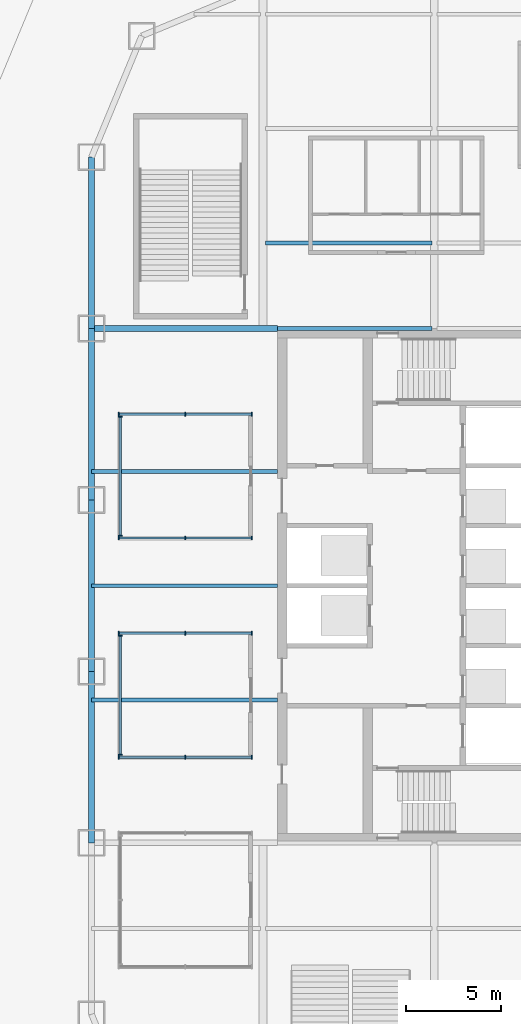
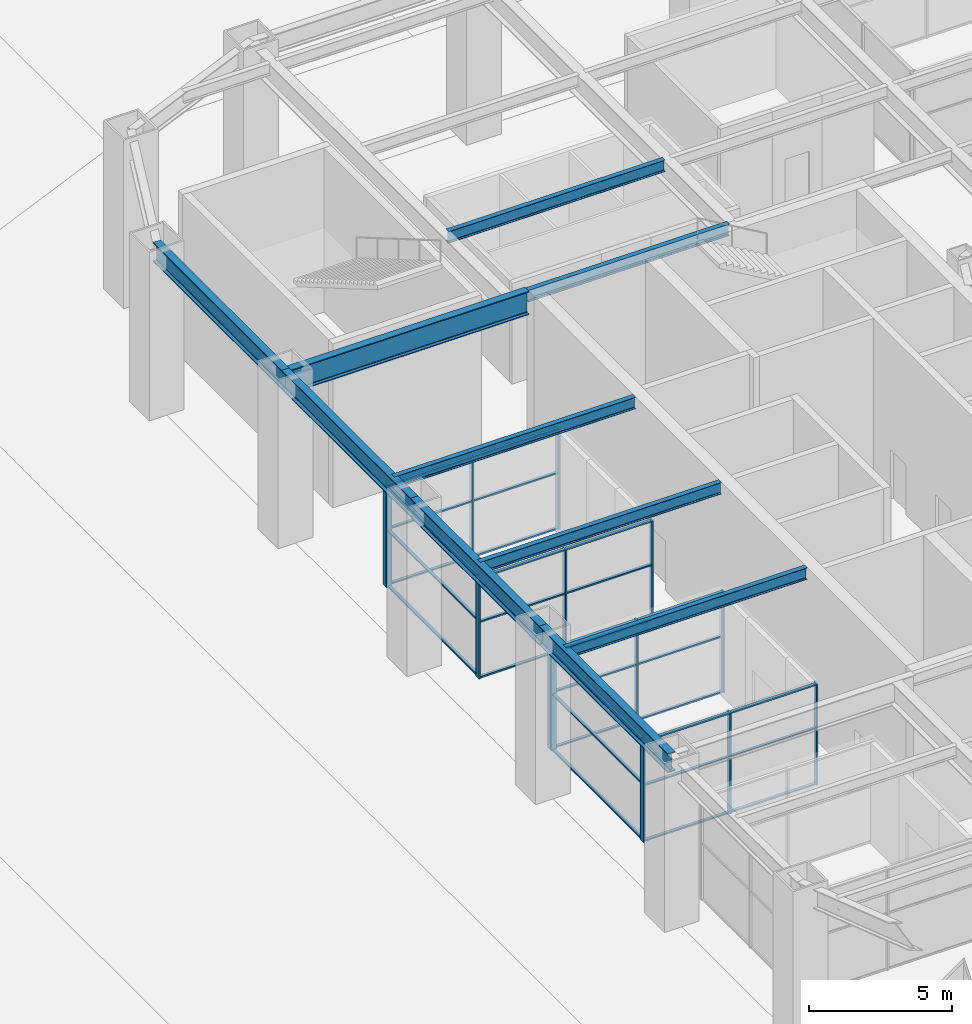
# One storey, part 6 of 20: 46 members, 10 beams, 6 elements without a shape of their own.
"""IFC4 building model written with IfcOpenShell, lengths in metres."""

import ifcopenshell
import ifcopenshell.guid

model = None  # the IFC model being written
_history = None  # IfcOwnerHistory: only IFC2X3 demands one
_inside = {}  # id of a spatial element -> (the spatial element, [elements in it])
_under = {}  # id of a project, library or spatial element -> (it, [spatial elements below it])
_declared = {}  # id of a project -> (the project, [libraries it declares])
_typed = {}  # id of a type object -> (the type object, [elements of that type])
_made_of = {}  # id of a material, layer set ... -> (it, [elements and type objects made of it])


def new_model(schema):
    """Start an empty IFC model of exactly this schema.

    Asked for "IFC4X3", IfcOpenShell would pick the latest addendum, in which some entities
    have other attributes; the version numbers below select the first issue.
    IFC2X3 requires an IfcOwnerHistory on every rooted entity: one is made here for all.
    """
    global model, _history
    if schema == "IFC4X3":
        model = ifcopenshell.file(schema_version=(4, 3, 0, 0))
    else:
        model = ifcopenshell.file(schema=schema)
    _inside.clear()
    _under.clear()
    _declared.clear()
    _typed.clear()
    _made_of.clear()
    _history = None
    if model.schema == "IFC2X3":
        org = make("IfcOrganization", Name="unknown")
        user = make(
            "IfcPersonAndOrganization",
            ThePerson=make("IfcPerson", FamilyName="unknown"),
            TheOrganization=org,
        )
        app = make(
            "IfcApplication",
            ApplicationDeveloper=org,
            Version="unknown",
            ApplicationFullName="unknown",
            ApplicationIdentifier="unknown",
        )
        _history = make(
            "IfcOwnerHistory",
            OwningUser=user,
            OwningApplication=app,
            ChangeAction="ADDED",
            CreationDate=0,
        )
    return model


def make(cls, **values):
    """One entity of the class cls with the attributes given. An attribute that is None is left unset."""
    return model.create_entity(
        cls, **{name: value for name, value in values.items() if value is not None}
    )


def rooted(cls, **values):
    """An entity with a GlobalId (a new one), such as an element, a storey or a relation."""
    return make(cls, GlobalId=ifcopenshell.guid.new(), OwnerHistory=_history, **values)


def si_unit(unit_type, name, prefix=None):
    """IfcSIUnit, for example si_unit("LENGTHUNIT", "METRE", prefix="MILLI")."""
    return make("IfcSIUnit", UnitType=unit_type, Prefix=prefix, Name=name)


def assignment(units):
    """IfcUnitAssignment: the units of a project."""
    return None if units is None else make("IfcUnitAssignment", Units=units)


def point(xyz):
    """IfcCartesianPoint."""
    return None if xyz is None else make("IfcCartesianPoint", Coordinates=xyz)


def direction(xyz):
    """IfcDirection."""
    return None if xyz is None else make("IfcDirection", DirectionRatios=xyz)


def frame(location, z_axis=None, x_axis=None):
    """IfcAxis2Placement3D, a coordinate frame: its origin and axes. An axis left out is left unset."""
    return make(
        "IfcAxis2Placement3D",
        Location=point(location),
        Axis=direction(z_axis),
        RefDirection=direction(x_axis),
    )


def frame_2d(location, x_axis=None):
    """IfcAxis2Placement2D, a coordinate frame in the plane: its origin and x axis."""
    return make(
        "IfcAxis2Placement2D", Location=point(location), RefDirection=direction(x_axis)
    )


def origin():
    """The frame at (0, 0, 0) with its axes left unset."""
    return frame((0.0, 0.0, 0.0))


def origin_2d():
    """The frame at (0, 0) in the plane with its x axis left unset."""
    return frame_2d((0.0, 0.0))


def place(relative_to, where):
    """IfcLocalPlacement: puts the frame where relative to a parent placement (None: the world)."""
    return make(
        "IfcLocalPlacement", PlacementRelTo=relative_to, RelativePlacement=where
    )


def context(
    kind, dimensions, precision=None, world=None, true_north=None, identifier=None
):
    """IfcGeometricRepresentationContext, for example the 3D "Model" context."""
    return make(
        "IfcGeometricRepresentationContext",
        ContextIdentifier=identifier,
        ContextType=kind,
        CoordinateSpaceDimension=dimensions,
        Precision=precision,
        WorldCoordinateSystem=world,
        TrueNorth=true_north,
    )


def subcontext(parent, identifier, kind, view, scale=None):
    """IfcGeometricRepresentationSubContext, for example "Body" below "Model"."""
    return make(
        "IfcGeometricRepresentationSubContext",
        ContextIdentifier=identifier,
        ContextType=kind,
        ParentContext=parent,
        TargetScale=scale,
        TargetView=view,
    )


def project(units=None, contexts=None):
    """IfcProject with its units and contexts."""
    return rooted(
        "IfcProject",
        Name="project",
        RepresentationContexts=contexts,
        UnitsInContext=assignment(units),
    )


def spatial(cls, under=None, at=None, **own):
    """A site, building, storey or space (cls), placed at a placement, below another one or the project."""
    s = rooted(cls, ObjectPlacement=at, **own)
    if under is not None:
        _under.setdefault(under.id(), (under, []))[1].append(s)
    return s


def profile(cls, at=None, kind="AREA", **sizes):
    """A parametric profile (cls). Its sizes go by their IFC names, for example OverallWidth=200.0."""
    return make(cls, ProfileType=kind, Position=at, **sizes)


def rectangle(**sizes):
    """IfcRectangleProfileDef."""
    return profile("IfcRectangleProfileDef", **sizes)


def i_section(**sizes):
    """IfcIShapeProfileDef."""
    return profile("IfcIShapeProfileDef", **sizes)


def extrude(swept, where, along, depth):
    """IfcExtrudedAreaSolid: the profile swept, set in the frame where, extruded along a direction by depth."""
    return make(
        "IfcExtrudedAreaSolid",
        SweptArea=swept,
        Position=where,
        ExtrudedDirection=direction(along),
        Depth=depth,
    )


def shape(context_of_items, identifier, shape_type, items):
    """IfcShapeRepresentation: the items that make up one representation, for example the "Body"."""
    return make(
        "IfcShapeRepresentation",
        ContextOfItems=context_of_items,
        RepresentationIdentifier=identifier,
        RepresentationType=shape_type,
        Items=items,
    )


def material(Name=None, Category=None):
    """IfcMaterial."""
    return make("IfcMaterial", Name=Name, Category=Category)


def layer(
    of_material, thickness, ventilated=None, Name=None, Category=None, Priority=None
):
    """IfcMaterialLayer: one layer of a wall or slab, of a material (None: an air gap)."""
    return make(
        "IfcMaterialLayer",
        Material=of_material,
        LayerThickness=thickness,
        IsVentilated=ventilated,
        Name=Name,
        Category=Category,
        Priority=Priority,
    )


def layer_set(layers, Name=None):
    """IfcMaterialLayerSet."""
    return make("IfcMaterialLayerSet", MaterialLayers=layers, LayerSetName=Name)


def material_profile(
    of_material, cross_section, Name=None, Category=None, Priority=None
):
    """IfcMaterialProfile: a cross section and its material."""
    return make(
        "IfcMaterialProfile",
        Name=Name,
        Material=of_material,
        Profile=cross_section,
        Priority=Priority,
        Category=Category,
    )


def profile_set(profiles, Name=None, composite=None):
    """IfcMaterialProfileSet."""
    return make(
        "IfcMaterialProfileSet",
        Name=Name,
        MaterialProfiles=profiles,
        CompositeProfile=composite,
    )


def made_of(thing, what):
    """Note that an element or type object is made of a material, layer set ...; save() writes the relation."""
    if what is not None:
        _made_of.setdefault(what.id(), (what, []))[1].append(thing)
    return thing


def type_object(cls, material=None, **own):
    """A type object (cls), such as IfcWallType, which elements share."""
    return made_of(rooted(cls, **own), material)


def element(
    cls,
    number,
    at=None,
    inside=None,
    cuts=None,
    type_object=None,
    material=None,
    context=None,
    identifier="Body",
    shape_type=None,
    held_by="IfcProductDefinitionShape",
    body=None,
    shapes=None,
    **own,
):
    """One element of the class cls, such as IfcWall. Its Tag is "e" and its number.

    at: its placement. inside: the storey or other place that contains it. cuts: it is an
    opening in that element (IfcRelVoidsElement). A single representation is given by context,
    identifier, shape_type and body (its items); several are given by shapes. held_by: the class
    of the entity that holds the representations. save() writes the other relations.
    """
    e = rooted(cls, Tag="e%d" % number, ObjectPlacement=at, **own)
    if body is not None:
        shapes = [shape(context, identifier, shape_type, body)]
    if shapes is not None:
        e.Representation = make(held_by, Representations=shapes)
    if inside is not None:
        _inside.setdefault(inside.id(), (inside, []))[1].append(e)
    if cuts is not None:
        rooted(
            "IfcRelVoidsElement", RelatingBuildingElement=cuts, RelatedOpeningElement=e
        )
    if type_object is not None:
        _typed.setdefault(type_object.id(), (type_object, []))[1].append(e)
    return made_of(e, material)


def aggregate(whole, parts):
    """IfcRelAggregates: a whole, such as a stair, and the parts it consists of."""
    return rooted("IfcRelAggregates", RelatingObject=whole, RelatedObjects=parts)


def save(model, path):
    """Write the relations noted so far, then the file.

    IfcRelAggregates (storeys below a building ...), IfcRelContainedInSpatialStructure (elements
    in a storey), IfcRelDefinesByType, IfcRelAssociatesMaterial and IfcRelDeclares: one each for
    every whole, place, type object, material and project.
    """
    for whole, parts in _under.values():
        aggregate(whole, parts)
    for where, things in _inside.values():
        rooted(
            "IfcRelContainedInSpatialStructure",
            RelatedElements=things,
            RelatingStructure=where,
        )
    for kind, things in _typed.values():
        rooted("IfcRelDefinesByType", RelatedObjects=things, RelatingType=kind)
    for what, things in _made_of.values():
        rooted("IfcRelAssociatesMaterial", RelatedObjects=things, RelatingMaterial=what)
    for by, libraries in _declared.values():
        rooted("IfcRelDeclares", RelatingContext=by, RelatedDefinitions=libraries)
    model.write(path)


model = new_model("IFC4")

# Units and contexts
model_context = context("Model", 3, precision=1e-05, world=origin(), true_north=direction((0.0, 1.0)))
body_context = subcontext(model_context, "Body", "Model", "MODEL_VIEW")
ifc_project = project(units=[si_unit("LENGTHUNIT", "METRE"), si_unit("AREAUNIT", "SQUARE_METRE"), si_unit("VOLUMEUNIT", "CUBIC_METRE"), si_unit("PLANEANGLEUNIT", "RADIAN"), si_unit("MASSUNIT", "GRAM", prefix="KILO")], contexts=[model_context])

# Site, building, storey
site_placement = place(None, origin())
site = spatial("IfcSite", under=ifc_project, at=site_placement, CompositionType="ELEMENT")
building_placement = place(site_placement, origin())
building = spatial("IfcBuilding", under=site, at=building_placement, Name="Siwar Civic Tower", CompositionType="ELEMENT")
storey_placement = place(building_placement, origin())
storey = spatial("IfcBuildingStorey", under=building, at=storey_placement, Name="L00", CompositionType="ELEMENT", Elevation=0.0)

# Curtain wall, members
ifc_material_1 = material(Name="Aluminium and glass", Category="aluminium")
ifc_layer = layer(ifc_material_1, 0.199951171875)
ifc_layer_set = layer_set([ifc_layer], Name="Aluminium and glass")
curtain_wall_type = type_object("IfcCurtainWallType", Name="GND-CWG", PredefinedType="NOTDEFINED", material=ifc_layer_set)
curtain_wall_1_placement = place(storey_placement, origin())
curtain_wall_1 = element("IfcCurtainWall", 1, at=curtain_wall_1_placement, inside=storey, type_object=curtain_wall_type, Name="Glazed screen P02", PredefinedType="NOTDEFINED")
ifc_material_2 = material(Name="Aluminium", Category="aluminium")
ifc_material_profile_1 = material_profile(ifc_material_2, rectangle(XDim=0.199951171875, YDim=0.06005859375, at=origin_2d()), Name="AL 200x60")
ifc_profile_set_1 = profile_set([ifc_material_profile_1], Name="Aluminium")
member_type_1 = type_object("IfcMemberType", Name="GND-CWG-MULLION", PredefinedType="MULLION", material=ifc_profile_set_1)
member_1_placement = place(storey_placement, frame((-30.070068359375, -9.0, 0.0), z_axis=(0.0, 0.0, 1.0), x_axis=(0.0, 1.0, 0.0)))
member_1 = element("IfcMember", 2, at=member_1_placement, type_object=member_type_1, Name="CW-G mullion 1", PredefinedType="MULLION", context=body_context, shape_type="SweptSolid", body=[
    extrude(rectangle(XDim=0.199951171875, YDim=0.06005859375, at=origin_2d()), origin(), (0.0, 0.0, 1.0), 4.300048828125),
])
member_2_placement = place(storey_placement, frame((-26.574951171875, -9.0, 0.0), z_axis=(0.0, 0.0, 1.0), x_axis=(0.0, 1.0, 0.0)))
member_2 = element("IfcMember", 3, at=member_2_placement, type_object=member_type_1, Name="CW-G mullion 2", PredefinedType="MULLION", context=body_context, shape_type="SweptSolid", body=[
    extrude(rectangle(XDim=0.199951171875, YDim=0.06005859375, at=origin_2d()), origin(), (0.0, 0.0, 1.0), 4.300048828125),
])
member_3_placement = place(storey_placement, frame((-23.080078125, -9.0, 0.0), z_axis=(0.0, 0.0, 1.0), x_axis=(0.0, 1.0, 0.0)))
member_3 = element("IfcMember", 4, at=member_3_placement, type_object=member_type_1, Name="CW-G mullion 3", PredefinedType="MULLION", context=body_context, shape_type="SweptSolid", body=[
    extrude(rectangle(XDim=0.199951171875, YDim=0.06005859375, at=origin_2d()), origin(), (0.0, 0.0, 1.0), 4.300048828125),
])

curtain_wall_2_placement = place(storey_placement, origin())
curtain_wall_2 = element("IfcCurtainWall", 5, at=curtain_wall_2_placement, inside=storey, type_object=curtain_wall_type, Name="Glazed screen P02", PredefinedType="NOTDEFINED")
member_4_placement = place(storey_placement, frame((-30.070068359375, -2.5, 0.0), z_axis=(0.0, 0.0, 1.0), x_axis=(0.0, 1.0, 0.0)))
member_4 = element("IfcMember", 6, at=member_4_placement, type_object=member_type_1, Name="CW-G mullion 1", PredefinedType="MULLION", context=body_context, shape_type="SweptSolid", body=[
    extrude(rectangle(XDim=0.199951171875, YDim=0.06005859375, at=origin_2d()), origin(), (0.0, 0.0, 1.0), 4.300048828125),
])
member_5_placement = place(storey_placement, frame((-26.574951171875, -2.5, 0.0), z_axis=(0.0, 0.0, 1.0), x_axis=(0.0, 1.0, 0.0)))
member_5 = element("IfcMember", 7, at=member_5_placement, type_object=member_type_1, Name="CW-G mullion 2", PredefinedType="MULLION", context=body_context, shape_type="SweptSolid", body=[
    extrude(rectangle(XDim=0.199951171875, YDim=0.06005859375, at=origin_2d()), origin(), (0.0, 0.0, 1.0), 4.300048828125),
])
member_6_placement = place(storey_placement, frame((-23.080078125, -2.5, 0.0), z_axis=(0.0, 0.0, 1.0), x_axis=(0.0, 1.0, 0.0)))
member_6 = element("IfcMember", 8, at=member_6_placement, type_object=member_type_1, Name="CW-G mullion 3", PredefinedType="MULLION", context=body_context, shape_type="SweptSolid", body=[
    extrude(rectangle(XDim=0.199951171875, YDim=0.06005859375, at=origin_2d()), origin(), (0.0, 0.0, 1.0), 4.300048828125),
])

curtain_wall_3_placement = place(storey_placement, origin())
curtain_wall_3 = element("IfcCurtainWall", 9, at=curtain_wall_3_placement, inside=storey, type_object=curtain_wall_type, Name="Glazed screen P02", PredefinedType="NOTDEFINED")
member_7_placement = place(storey_placement, frame((-30.0, -8.8701171875, 0.0), z_axis=(0.0, 0.0, 1.0), x_axis=(-1.0, 0.0, 0.0)))
member_7 = element("IfcMember", 10, at=member_7_placement, type_object=member_type_1, Name="CW-G mullion 1", PredefinedType="MULLION", context=body_context, shape_type="SweptSolid", body=[
    extrude(rectangle(XDim=0.199951171875, YDim=0.06005859375, at=origin_2d()), origin(), (0.0, 0.0, 1.0), 4.300048828125),
])
member_8_placement = place(storey_placement, frame((-30.0, -2.6298828125, 0.0), z_axis=(0.0, 0.0, 1.0), x_axis=(-1.0, 0.0, 0.0)))
member_8 = element("IfcMember", 11, at=member_8_placement, type_object=member_type_1, Name="CW-G mullion 2", PredefinedType="MULLION", context=body_context, shape_type="SweptSolid", body=[
    extrude(rectangle(XDim=0.199951171875, YDim=0.06005859375, at=origin_2d()), origin(), (0.0, 0.0, 1.0), 4.300048828125),
])

curtain_wall_4_placement = place(storey_placement, origin())
curtain_wall_4 = element("IfcCurtainWall", 12, at=curtain_wall_4_placement, inside=storey, type_object=curtain_wall_type, Name="Glazed screen P09", PredefinedType="NOTDEFINED")
member_9_placement = place(storey_placement, frame((-30.070068359375, 2.5, 0.0), z_axis=(0.0, 0.0, 1.0), x_axis=(0.0, 1.0, 0.0)))
member_9 = element("IfcMember", 13, at=member_9_placement, type_object=member_type_1, Name="CW-G mullion 1", PredefinedType="MULLION", context=body_context, shape_type="SweptSolid", body=[
    extrude(rectangle(XDim=0.199951171875, YDim=0.06005859375, at=origin_2d()), origin(), (0.0, 0.0, 1.0), 4.300048828125),
])
member_10_placement = place(storey_placement, frame((-26.574951171875, 2.5, 0.0), z_axis=(0.0, 0.0, 1.0), x_axis=(0.0, 1.0, 0.0)))
member_10 = element("IfcMember", 14, at=member_10_placement, type_object=member_type_1, Name="CW-G mullion 2", PredefinedType="MULLION", context=body_context, shape_type="SweptSolid", body=[
    extrude(rectangle(XDim=0.199951171875, YDim=0.06005859375, at=origin_2d()), origin(), (0.0, 0.0, 1.0), 4.300048828125),
])
member_11_placement = place(storey_placement, frame((-23.080078125, 2.5, 0.0), z_axis=(0.0, 0.0, 1.0), x_axis=(0.0, 1.0, 0.0)))
member_11 = element("IfcMember", 15, at=member_11_placement, type_object=member_type_1, Name="CW-G mullion 3", PredefinedType="MULLION", context=body_context, shape_type="SweptSolid", body=[
    extrude(rectangle(XDim=0.199951171875, YDim=0.06005859375, at=origin_2d()), origin(), (0.0, 0.0, 1.0), 4.300048828125),
])

curtain_wall_5_placement = place(storey_placement, origin())
curtain_wall_5 = element("IfcCurtainWall", 16, at=curtain_wall_5_placement, inside=storey, type_object=curtain_wall_type, Name="Glazed screen P09", PredefinedType="NOTDEFINED")
member_12_placement = place(storey_placement, frame((-30.070068359375, 9.0, 0.0), z_axis=(0.0, 0.0, 1.0), x_axis=(0.0, 1.0, 0.0)))
member_12 = element("IfcMember", 17, at=member_12_placement, type_object=member_type_1, Name="CW-G mullion 1", PredefinedType="MULLION", context=body_context, shape_type="SweptSolid", body=[
    extrude(rectangle(XDim=0.199951171875, YDim=0.06005859375, at=origin_2d()), origin(), (0.0, 0.0, 1.0), 4.300048828125),
])
member_13_placement = place(storey_placement, frame((-26.574951171875, 9.0, 0.0), z_axis=(0.0, 0.0, 1.0), x_axis=(0.0, 1.0, 0.0)))
member_13 = element("IfcMember", 18, at=member_13_placement, type_object=member_type_1, Name="CW-G mullion 2", PredefinedType="MULLION", context=body_context, shape_type="SweptSolid", body=[
    extrude(rectangle(XDim=0.199951171875, YDim=0.06005859375, at=origin_2d()), origin(), (0.0, 0.0, 1.0), 4.300048828125),
])
member_14_placement = place(storey_placement, frame((-23.080078125, 9.0, 0.0), z_axis=(0.0, 0.0, 1.0), x_axis=(0.0, 1.0, 0.0)))
member_14 = element("IfcMember", 19, at=member_14_placement, type_object=member_type_1, Name="CW-G mullion 3", PredefinedType="MULLION", context=body_context, shape_type="SweptSolid", body=[
    extrude(rectangle(XDim=0.199951171875, YDim=0.06005859375, at=origin_2d()), origin(), (0.0, 0.0, 1.0), 4.300048828125),
])

curtain_wall_6_placement = place(storey_placement, origin())
curtain_wall_6 = element("IfcCurtainWall", 20, at=curtain_wall_6_placement, inside=storey, type_object=curtain_wall_type, Name="Glazed screen P09", PredefinedType="NOTDEFINED")
member_15_placement = place(storey_placement, frame((-30.0, 2.6298828125, 0.0), z_axis=(0.0, 0.0, 1.0), x_axis=(-1.0, 0.0, 0.0)))
member_15 = element("IfcMember", 21, at=member_15_placement, type_object=member_type_1, Name="CW-G mullion 1", PredefinedType="MULLION", context=body_context, shape_type="SweptSolid", body=[
    extrude(rectangle(XDim=0.199951171875, YDim=0.06005859375, at=origin_2d()), origin(), (0.0, 0.0, 1.0), 4.300048828125),
])
member_16_placement = place(storey_placement, frame((-30.0, 8.8701171875, 0.0), z_axis=(0.0, 0.0, 1.0), x_axis=(-1.0, 0.0, 0.0)))
member_16 = element("IfcMember", 22, at=member_16_placement, type_object=member_type_1, Name="CW-G mullion 2", PredefinedType="MULLION", context=body_context, shape_type="SweptSolid", body=[
    extrude(rectangle(XDim=0.199951171875, YDim=0.06005859375, at=origin_2d()), origin(), (0.0, 0.0, 1.0), 4.300048828125),
])

# Member
ifc_material_3 = material(Name="Aluminium", Category="aluminium")
ifc_material_profile_2 = material_profile(ifc_material_3, rectangle(XDim=0.1201171875, YDim=0.06005859375, at=origin_2d()), Name="AL 120x60")
ifc_profile_set_2 = profile_set([ifc_material_profile_2], Name="Aluminium")
member_type_2 = type_object("IfcMemberType", Name="GND-CWG-TRANSOM", PredefinedType="USERDEFINED", material=ifc_profile_set_2)
member_17_placement = place(storey_placement, frame((-30.0400390625, -9.0, 0.030029296875), z_axis=(1.0, 0.0, 0.0), x_axis=(0.0, 1.0, 0.0)))
member_17 = element("IfcMember", 23, at=member_17_placement, type_object=member_type_2, Name="CW-G transom 1.1", ObjectType="TRANSOM", PredefinedType="USERDEFINED", context=body_context, shape_type="SweptSolid", body=[
    extrude(rectangle(XDim=0.1201171875, YDim=0.06005859375, at=origin_2d()), origin(), (0.0, 0.0, 1.0), 3.43505859375),
])

member_18_placement = place(storey_placement, frame((-30.0400390625, -9.0, 2.39990234375), z_axis=(1.0, 0.0, 0.0), x_axis=(0.0, 1.0, 0.0)))
member_18 = element("IfcMember", 24, at=member_18_placement, type_object=member_type_2, Name="CW-G transom 1.2", ObjectType="TRANSOM", PredefinedType="USERDEFINED", context=body_context, shape_type="SweptSolid", body=[
    extrude(rectangle(XDim=0.1201171875, YDim=0.06005859375, at=origin_2d()), origin(), (0.0, 0.0, 1.0), 3.43505859375),
])

member_19_placement = place(storey_placement, frame((-30.0400390625, -9.0, 4.27001953125), z_axis=(1.0, 0.0, 0.0), x_axis=(0.0, 1.0, 0.0)))
member_19 = element("IfcMember", 25, at=member_19_placement, type_object=member_type_2, Name="CW-G transom 1.3", ObjectType="TRANSOM", PredefinedType="USERDEFINED", context=body_context, shape_type="SweptSolid", body=[
    extrude(rectangle(XDim=0.1201171875, YDim=0.06005859375, at=origin_2d()), origin(), (0.0, 0.0, 1.0), 3.43505859375),
])

member_20_placement = place(storey_placement, frame((-26.544921875, -9.0, 0.030029296875), z_axis=(1.0, 0.0, 0.0), x_axis=(0.0, 1.0, 0.0)))
member_20 = element("IfcMember", 26, at=member_20_placement, type_object=member_type_2, Name="CW-G transom 2.1", ObjectType="TRANSOM", PredefinedType="USERDEFINED", context=body_context, shape_type="SweptSolid", body=[
    extrude(rectangle(XDim=0.1201171875, YDim=0.06005859375, at=origin_2d()), origin(), (0.0, 0.0, 1.0), 3.434814453125),
])

member_21_placement = place(storey_placement, frame((-26.544921875, -9.0, 2.39990234375), z_axis=(1.0, 0.0, 0.0), x_axis=(0.0, 1.0, 0.0)))
member_21 = element("IfcMember", 27, at=member_21_placement, type_object=member_type_2, Name="CW-G transom 2.2", ObjectType="TRANSOM", PredefinedType="USERDEFINED", context=body_context, shape_type="SweptSolid", body=[
    extrude(rectangle(XDim=0.1201171875, YDim=0.06005859375, at=origin_2d()), origin(), (0.0, 0.0, 1.0), 3.434814453125),
])

member_22_placement = place(storey_placement, frame((-26.544921875, -9.0, 4.27001953125), z_axis=(1.0, 0.0, 0.0), x_axis=(0.0, 1.0, 0.0)))
member_22 = element("IfcMember", 28, at=member_22_placement, type_object=member_type_2, Name="CW-G transom 2.3", ObjectType="TRANSOM", PredefinedType="USERDEFINED", context=body_context, shape_type="SweptSolid", body=[
    extrude(rectangle(XDim=0.1201171875, YDim=0.06005859375, at=origin_2d()), origin(), (0.0, 0.0, 1.0), 3.434814453125),
])

aggregate(curtain_wall_1, [member_1, member_2, member_3, member_17, member_18, member_19, member_20, member_21, member_22])

member_23_placement = place(storey_placement, frame((-30.0400390625, -2.5, 0.030029296875), z_axis=(1.0, 0.0, 0.0), x_axis=(0.0, 1.0, 0.0)))
member_23 = element("IfcMember", 29, at=member_23_placement, type_object=member_type_2, Name="CW-G transom 1.1", ObjectType="TRANSOM", PredefinedType="USERDEFINED", context=body_context, shape_type="SweptSolid", body=[
    extrude(rectangle(XDim=0.1201171875, YDim=0.06005859375, at=origin_2d()), origin(), (0.0, 0.0, 1.0), 3.43505859375),
])

member_24_placement = place(storey_placement, frame((-30.0400390625, -2.5, 2.39990234375), z_axis=(1.0, 0.0, 0.0), x_axis=(0.0, 1.0, 0.0)))
member_24 = element("IfcMember", 30, at=member_24_placement, type_object=member_type_2, Name="CW-G transom 1.2", ObjectType="TRANSOM", PredefinedType="USERDEFINED", context=body_context, shape_type="SweptSolid", body=[
    extrude(rectangle(XDim=0.1201171875, YDim=0.06005859375, at=origin_2d()), origin(), (0.0, 0.0, 1.0), 3.43505859375),
])

member_25_placement = place(storey_placement, frame((-30.0400390625, -2.5, 4.27001953125), z_axis=(1.0, 0.0, 0.0), x_axis=(0.0, 1.0, 0.0)))
member_25 = element("IfcMember", 31, at=member_25_placement, type_object=member_type_2, Name="CW-G transom 1.3", ObjectType="TRANSOM", PredefinedType="USERDEFINED", context=body_context, shape_type="SweptSolid", body=[
    extrude(rectangle(XDim=0.1201171875, YDim=0.06005859375, at=origin_2d()), origin(), (0.0, 0.0, 1.0), 3.43505859375),
])

member_26_placement = place(storey_placement, frame((-26.544921875, -2.5, 0.030029296875), z_axis=(1.0, 0.0, 0.0), x_axis=(0.0, 1.0, 0.0)))
member_26 = element("IfcMember", 32, at=member_26_placement, type_object=member_type_2, Name="CW-G transom 2.1", ObjectType="TRANSOM", PredefinedType="USERDEFINED", context=body_context, shape_type="SweptSolid", body=[
    extrude(rectangle(XDim=0.1201171875, YDim=0.06005859375, at=origin_2d()), origin(), (0.0, 0.0, 1.0), 3.434814453125),
])

member_27_placement = place(storey_placement, frame((-26.544921875, -2.5, 2.39990234375), z_axis=(1.0, 0.0, 0.0), x_axis=(0.0, 1.0, 0.0)))
member_27 = element("IfcMember", 33, at=member_27_placement, type_object=member_type_2, Name="CW-G transom 2.2", ObjectType="TRANSOM", PredefinedType="USERDEFINED", context=body_context, shape_type="SweptSolid", body=[
    extrude(rectangle(XDim=0.1201171875, YDim=0.06005859375, at=origin_2d()), origin(), (0.0, 0.0, 1.0), 3.434814453125),
])

member_28_placement = place(storey_placement, frame((-26.544921875, -2.5, 4.27001953125), z_axis=(1.0, 0.0, 0.0), x_axis=(0.0, 1.0, 0.0)))
member_28 = element("IfcMember", 34, at=member_28_placement, type_object=member_type_2, Name="CW-G transom 2.3", ObjectType="TRANSOM", PredefinedType="USERDEFINED", context=body_context, shape_type="SweptSolid", body=[
    extrude(rectangle(XDim=0.1201171875, YDim=0.06005859375, at=origin_2d()), origin(), (0.0, 0.0, 1.0), 3.434814453125),
])

aggregate(curtain_wall_2, [member_4, member_5, member_6, member_23, member_24, member_25, member_26, member_27, member_28])

member_29_placement = place(storey_placement, frame((-30.0, -8.840087890625, 0.030029296875), z_axis=(0.0, 1.0, 0.0), x_axis=(-1.0, 0.0, 0.0)))
member_29 = element("IfcMember", 35, at=member_29_placement, type_object=member_type_2, Name="CW-G transom 1.1", ObjectType="TRANSOM", PredefinedType="USERDEFINED", context=body_context, shape_type="SweptSolid", body=[
    extrude(rectangle(XDim=0.1201171875, YDim=0.06005859375, at=origin_2d()), origin(), (0.0, 0.0, 1.0), 6.18017578125),
])

member_30_placement = place(storey_placement, frame((-30.0, -8.840087890625, 2.39990234375), z_axis=(0.0, 1.0, 0.0), x_axis=(-1.0, 0.0, 0.0)))
member_30 = element("IfcMember", 36, at=member_30_placement, type_object=member_type_2, Name="CW-G transom 1.2", ObjectType="TRANSOM", PredefinedType="USERDEFINED", context=body_context, shape_type="SweptSolid", body=[
    extrude(rectangle(XDim=0.1201171875, YDim=0.06005859375, at=origin_2d()), origin(), (0.0, 0.0, 1.0), 6.18017578125),
])

member_31_placement = place(storey_placement, frame((-30.0, -8.840087890625, 4.27001953125), z_axis=(0.0, 1.0, 0.0), x_axis=(-1.0, 0.0, 0.0)))
member_31 = element("IfcMember", 37, at=member_31_placement, type_object=member_type_2, Name="CW-G transom 1.3", ObjectType="TRANSOM", PredefinedType="USERDEFINED", context=body_context, shape_type="SweptSolid", body=[
    extrude(rectangle(XDim=0.1201171875, YDim=0.06005859375, at=origin_2d()), origin(), (0.0, 0.0, 1.0), 6.18017578125),
])

aggregate(curtain_wall_3, [member_7, member_8, member_29, member_30, member_31])

member_32_placement = place(storey_placement, frame((-30.0400390625, 2.5, 0.030029296875), z_axis=(1.0, 0.0, 0.0), x_axis=(0.0, 1.0, 0.0)))
member_32 = element("IfcMember", 38, at=member_32_placement, type_object=member_type_2, Name="CW-G transom 1.1", ObjectType="TRANSOM", PredefinedType="USERDEFINED", context=body_context, shape_type="SweptSolid", body=[
    extrude(rectangle(XDim=0.1201171875, YDim=0.06005859375, at=origin_2d()), origin(), (0.0, 0.0, 1.0), 3.43505859375),
])

member_33_placement = place(storey_placement, frame((-30.0400390625, 2.5, 2.39990234375), z_axis=(1.0, 0.0, 0.0), x_axis=(0.0, 1.0, 0.0)))
member_33 = element("IfcMember", 39, at=member_33_placement, type_object=member_type_2, Name="CW-G transom 1.2", ObjectType="TRANSOM", PredefinedType="USERDEFINED", context=body_context, shape_type="SweptSolid", body=[
    extrude(rectangle(XDim=0.1201171875, YDim=0.06005859375, at=origin_2d()), origin(), (0.0, 0.0, 1.0), 3.43505859375),
])

member_34_placement = place(storey_placement, frame((-30.0400390625, 2.5, 4.27001953125), z_axis=(1.0, 0.0, 0.0), x_axis=(0.0, 1.0, 0.0)))
member_34 = element("IfcMember", 40, at=member_34_placement, type_object=member_type_2, Name="CW-G transom 1.3", ObjectType="TRANSOM", PredefinedType="USERDEFINED", context=body_context, shape_type="SweptSolid", body=[
    extrude(rectangle(XDim=0.1201171875, YDim=0.06005859375, at=origin_2d()), origin(), (0.0, 0.0, 1.0), 3.43505859375),
])

member_35_placement = place(storey_placement, frame((-26.544921875, 2.5, 0.030029296875), z_axis=(1.0, 0.0, 0.0), x_axis=(0.0, 1.0, 0.0)))
member_35 = element("IfcMember", 41, at=member_35_placement, type_object=member_type_2, Name="CW-G transom 2.1", ObjectType="TRANSOM", PredefinedType="USERDEFINED", context=body_context, shape_type="SweptSolid", body=[
    extrude(rectangle(XDim=0.1201171875, YDim=0.06005859375, at=origin_2d()), origin(), (0.0, 0.0, 1.0), 3.434814453125),
])

member_36_placement = place(storey_placement, frame((-26.544921875, 2.5, 2.39990234375), z_axis=(1.0, 0.0, 0.0), x_axis=(0.0, 1.0, 0.0)))
member_36 = element("IfcMember", 42, at=member_36_placement, type_object=member_type_2, Name="CW-G transom 2.2", ObjectType="TRANSOM", PredefinedType="USERDEFINED", context=body_context, shape_type="SweptSolid", body=[
    extrude(rectangle(XDim=0.1201171875, YDim=0.06005859375, at=origin_2d()), origin(), (0.0, 0.0, 1.0), 3.434814453125),
])

member_37_placement = place(storey_placement, frame((-26.544921875, 2.5, 4.27001953125), z_axis=(1.0, 0.0, 0.0), x_axis=(0.0, 1.0, 0.0)))
member_37 = element("IfcMember", 43, at=member_37_placement, type_object=member_type_2, Name="CW-G transom 2.3", ObjectType="TRANSOM", PredefinedType="USERDEFINED", context=body_context, shape_type="SweptSolid", body=[
    extrude(rectangle(XDim=0.1201171875, YDim=0.06005859375, at=origin_2d()), origin(), (0.0, 0.0, 1.0), 3.434814453125),
])

aggregate(curtain_wall_4, [member_9, member_10, member_11, member_32, member_33, member_34, member_35, member_36, member_37])

member_38_placement = place(storey_placement, frame((-30.0400390625, 9.0, 0.030029296875), z_axis=(1.0, 0.0, 0.0), x_axis=(0.0, 1.0, 0.0)))
member_38 = element("IfcMember", 44, at=member_38_placement, type_object=member_type_2, Name="CW-G transom 1.1", ObjectType="TRANSOM", PredefinedType="USERDEFINED", context=body_context, shape_type="SweptSolid", body=[
    extrude(rectangle(XDim=0.1201171875, YDim=0.06005859375, at=origin_2d()), origin(), (0.0, 0.0, 1.0), 3.43505859375),
])

member_39_placement = place(storey_placement, frame((-30.0400390625, 9.0, 2.39990234375), z_axis=(1.0, 0.0, 0.0), x_axis=(0.0, 1.0, 0.0)))
member_39 = element("IfcMember", 45, at=member_39_placement, type_object=member_type_2, Name="CW-G transom 1.2", ObjectType="TRANSOM", PredefinedType="USERDEFINED", context=body_context, shape_type="SweptSolid", body=[
    extrude(rectangle(XDim=0.1201171875, YDim=0.06005859375, at=origin_2d()), origin(), (0.0, 0.0, 1.0), 3.43505859375),
])

member_40_placement = place(storey_placement, frame((-30.0400390625, 9.0, 4.27001953125), z_axis=(1.0, 0.0, 0.0), x_axis=(0.0, 1.0, 0.0)))
member_40 = element("IfcMember", 46, at=member_40_placement, type_object=member_type_2, Name="CW-G transom 1.3", ObjectType="TRANSOM", PredefinedType="USERDEFINED", context=body_context, shape_type="SweptSolid", body=[
    extrude(rectangle(XDim=0.1201171875, YDim=0.06005859375, at=origin_2d()), origin(), (0.0, 0.0, 1.0), 3.43505859375),
])

member_41_placement = place(storey_placement, frame((-26.544921875, 9.0, 0.030029296875), z_axis=(1.0, 0.0, 0.0), x_axis=(0.0, 1.0, 0.0)))
member_41 = element("IfcMember", 47, at=member_41_placement, type_object=member_type_2, Name="CW-G transom 2.1", ObjectType="TRANSOM", PredefinedType="USERDEFINED", context=body_context, shape_type="SweptSolid", body=[
    extrude(rectangle(XDim=0.1201171875, YDim=0.06005859375, at=origin_2d()), origin(), (0.0, 0.0, 1.0), 3.434814453125),
])

member_42_placement = place(storey_placement, frame((-26.544921875, 9.0, 2.39990234375), z_axis=(1.0, 0.0, 0.0), x_axis=(0.0, 1.0, 0.0)))
member_42 = element("IfcMember", 48, at=member_42_placement, type_object=member_type_2, Name="CW-G transom 2.2", ObjectType="TRANSOM", PredefinedType="USERDEFINED", context=body_context, shape_type="SweptSolid", body=[
    extrude(rectangle(XDim=0.1201171875, YDim=0.06005859375, at=origin_2d()), origin(), (0.0, 0.0, 1.0), 3.434814453125),
])

member_43_placement = place(storey_placement, frame((-26.544921875, 9.0, 4.27001953125), z_axis=(1.0, 0.0, 0.0), x_axis=(0.0, 1.0, 0.0)))
member_43 = element("IfcMember", 49, at=member_43_placement, type_object=member_type_2, Name="CW-G transom 2.3", ObjectType="TRANSOM", PredefinedType="USERDEFINED", context=body_context, shape_type="SweptSolid", body=[
    extrude(rectangle(XDim=0.1201171875, YDim=0.06005859375, at=origin_2d()), origin(), (0.0, 0.0, 1.0), 3.434814453125),
])

aggregate(curtain_wall_5, [member_12, member_13, member_14, member_38, member_39, member_40, member_41, member_42, member_43])

member_44_placement = place(storey_placement, frame((-30.0, 2.659912109375, 0.030029296875), z_axis=(0.0, 1.0, 0.0), x_axis=(-1.0, 0.0, 0.0)))
member_44 = element("IfcMember", 50, at=member_44_placement, type_object=member_type_2, Name="CW-G transom 1.1", ObjectType="TRANSOM", PredefinedType="USERDEFINED", context=body_context, shape_type="SweptSolid", body=[
    extrude(rectangle(XDim=0.1201171875, YDim=0.06005859375, at=origin_2d()), origin(), (0.0, 0.0, 1.0), 6.18017578125),
])

member_45_placement = place(storey_placement, frame((-30.0, 2.659912109375, 2.39990234375), z_axis=(0.0, 1.0, 0.0), x_axis=(-1.0, 0.0, 0.0)))
member_45 = element("IfcMember", 51, at=member_45_placement, type_object=member_type_2, Name="CW-G transom 1.2", ObjectType="TRANSOM", PredefinedType="USERDEFINED", context=body_context, shape_type="SweptSolid", body=[
    extrude(rectangle(XDim=0.1201171875, YDim=0.06005859375, at=origin_2d()), origin(), (0.0, 0.0, 1.0), 6.18017578125),
])

member_46_placement = place(storey_placement, frame((-30.0, 2.659912109375, 4.27001953125), z_axis=(0.0, 1.0, 0.0), x_axis=(-1.0, 0.0, 0.0)))
member_46 = element("IfcMember", 52, at=member_46_placement, type_object=member_type_2, Name="CW-G transom 1.3", ObjectType="TRANSOM", PredefinedType="USERDEFINED", context=body_context, shape_type="SweptSolid", body=[
    extrude(rectangle(XDim=0.1201171875, YDim=0.06005859375, at=origin_2d()), origin(), (0.0, 0.0, 1.0), 6.18017578125),
])

aggregate(curtain_wall_6, [member_15, member_16, member_44, member_45, member_46])

# Beams
ifc_material_4 = material(Name="Steel S355", Category="steel")
ifc_material_profile_3 = material_profile(ifc_material_4, i_section(OverallWidth=0.199951171875, OverallDepth=0.5, WebThickness=0.01025390625, FlangeThickness=0.01611328125, FilletRadius=0.02099609375, at=origin_2d()), Name="IPE500")
ifc_profile_set_3 = profile_set([ifc_material_profile_3], Name="Steel S355")
beam_type_1 = type_object("IfcBeamType", Name="STR-FB-IPE500", PredefinedType="JOIST", material=ifc_profile_set_3)
for number, where, z_axis, x_axis, name in (
    (53, (-31.5, -6.0, 6.75), (1.0, 0.0, 0.0), (0.0, 1.0, 0.0), "L00/bm/F028"),
    (54, (-31.5, 0.0, 6.75), (1.0, 0.0, 0.0), (0.0, 1.0, 0.0), "L00/bm/F030"),
    (55, (-31.5, 6.0, 6.75), (1.0, 0.0, 0.0), (0.0, 1.0, 0.0), "L00/bm/F032"),
):
    element("IfcBeam", number, at=place(storey_placement, frame(where, z_axis=z_axis, x_axis=x_axis)), inside=storey, type_object=beam_type_1, Name=name, PredefinedType="JOIST", context=body_context, shape_type="SweptSolid", body=[
        extrude(i_section(OverallWidth=0.199951171875, OverallDepth=0.5, WebThickness=0.01025390625, FlangeThickness=0.01611328125, FilletRadius=0.02099609375, at=origin_2d()), origin(), (0.0, 0.0, 1.0), 9.75),
    ])
beam_1_placement = place(storey_placement, frame((-21.75, 13.5, 6.75), z_axis=(1.0, 0.0, 0.0), x_axis=(0.0, 1.0, 0.0)))
element("IfcBeam", 56, at=beam_1_placement, inside=storey, type_object=beam_type_1, Name="L00/bm/F035", PredefinedType="JOIST", context=body_context, shape_type="SweptSolid", body=[
    extrude(i_section(OverallWidth=0.199951171875, OverallDepth=0.5, WebThickness=0.01025390625, FlangeThickness=0.01611328125, FilletRadius=0.02099609375, at=origin_2d()), origin(), (0.0, 0.0, 1.0), 8.1201171875),
])
beam_2_placement = place(storey_placement, frame((-22.3701171875, 18.0, 6.75), z_axis=(1.0, 0.0, 0.0), x_axis=(0.0, 1.0, 0.0)))
element("IfcBeam", 57, at=beam_2_placement, inside=storey, type_object=beam_type_1, Name="L00/bm/F043", PredefinedType="JOIST", context=body_context, shape_type="SweptSolid", body=[
    extrude(i_section(OverallWidth=0.199951171875, OverallDepth=0.5, WebThickness=0.01025390625, FlangeThickness=0.01611328125, FilletRadius=0.02099609375, at=origin_2d()), origin(), (0.0, 0.0, 1.0), 8.740234375),
])
ifc_material_5 = material(Name="Steel S355", Category="steel")
ifc_material_profile_4 = material_profile(ifc_material_5, i_section(OverallWidth=0.300048828125, OverallDepth=1.0, WebThickness=0.01904296875, FlangeThickness=0.035888671875, FilletRadius=0.030029296875, at=origin_2d()), Name="HEB1000")
ifc_profile_set_4 = profile_set([ifc_material_profile_4], Name="Steel S355")
beam_type_2 = type_object("IfcBeamType", Name="STR-PG-HEB1000", PredefinedType="BEAM", material=ifc_profile_set_4)
beam_3_placement = place(storey_placement, frame((-31.5, 13.5, 6.5), z_axis=(1.0, 0.0, 0.0), x_axis=(0.0, 1.0, 0.0)))
element("IfcBeam", 58, at=beam_3_placement, inside=storey, type_object=beam_type_2, Name="L00/bm/F034", PredefinedType="BEAM", context=body_context, shape_type="SweptSolid", body=[
    extrude(i_section(OverallWidth=0.300048828125, OverallDepth=1.0, WebThickness=0.01904296875, FlangeThickness=0.035888671875, FilletRadius=0.030029296875, at=origin_2d()), origin(), (0.0, 0.0, 1.0), 9.75),
])
ifc_material_6 = material(Name="Steel S355", Category="steel")
ifc_material_profile_5 = material_profile(ifc_material_6, i_section(OverallWidth=0.302978515625, OverallDepth=0.81396484375, WebThickness=0.02099609375, FlangeThickness=0.0400390625, FilletRadius=0.030029296875, at=origin_2d()), Name="HEM800")
ifc_profile_set_5 = profile_set([ifc_material_profile_5], Name="Steel S355")
beam_type_3 = type_object("IfcBeamType", Name="STR-SB-HEM800", PredefinedType="BEAM", material=ifc_profile_set_5)
for number, where, z_axis, x_axis, name in (
    (59, (-31.5, 22.5, 6.593017578125), (0.0, -1.0, 0.0), (1.0, 0.0, 0.0), "L00/bm/SW-0"),
    (60, (-31.5, 13.5, 6.593017578125), (0.0, -1.0, 0.0), (1.0, 0.0, 0.0), "L00/bm/SW-1"),
    (61, (-31.5, 4.5, 6.593017578125), (0.0, -1.0, 0.0), (1.0, 0.0, 0.0), "L00/bm/SW-2"),
    (62, (-31.5, -4.5, 6.593017578125), (0.0, -1.0, 0.0), (1.0, 0.0, 0.0), "L00/bm/SW-3"),
):
    element("IfcBeam", number, at=place(storey_placement, frame(where, z_axis=z_axis, x_axis=x_axis)), inside=storey, type_object=beam_type_3, Name=name, PredefinedType="BEAM", context=body_context, shape_type="SweptSolid", body=[
        extrude(i_section(OverallWidth=0.302978515625, OverallDepth=0.81396484375, WebThickness=0.02099609375, FlangeThickness=0.0400390625, FilletRadius=0.030029296875, at=origin_2d()), origin(), (0.0, 0.0, 1.0), 9.0),
    ])

save(model, "model.ifc")
